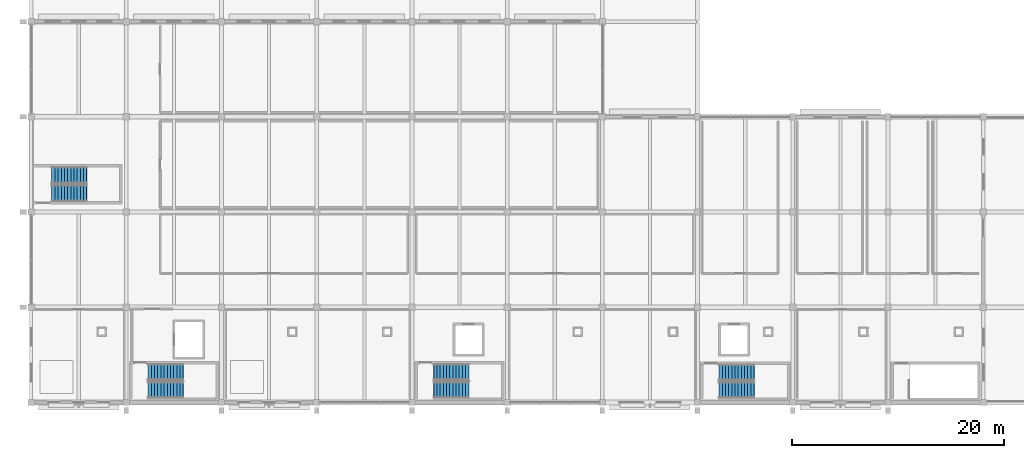
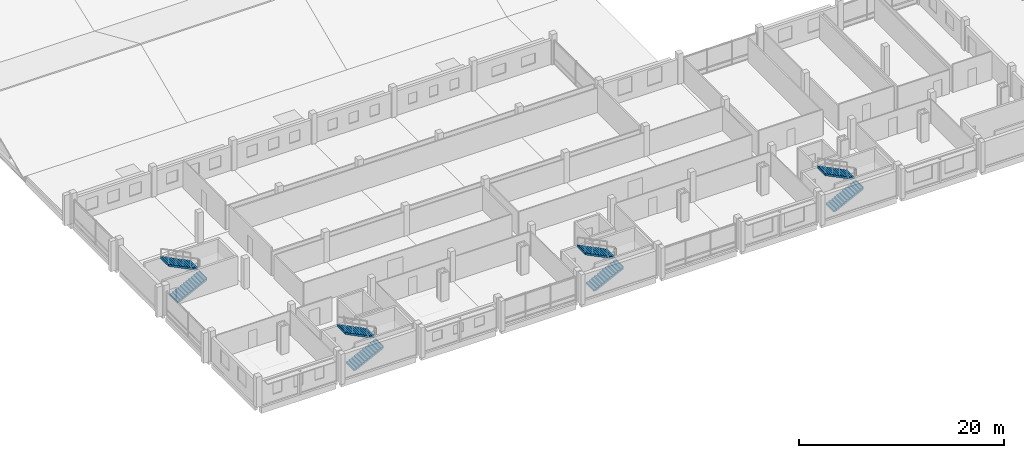
# One storey, part 156 of 163: 8 stair flights, 4 elements without a shape of their own.
"""IFC4 building model written with IfcOpenShell, lengths in metres."""

from ifc_helpers import new_model, si_unit, direction, frame, origin, place, context, subcontext, project, spatial, polyline, outline, extrude, material, type_object, element, aggregate, save


model = new_model("IFC4")

# Units and contexts
model_context = context("Model", 3, precision=1e-05, world=origin(), true_north=direction((0.0, 1.0)))
body_context = subcontext(model_context, "Body", "Model", "MODEL_VIEW")
ifc_project = project(units=[si_unit("LENGTHUNIT", "METRE"), si_unit("AREAUNIT", "SQUARE_METRE"), si_unit("VOLUMEUNIT", "CUBIC_METRE"), si_unit("PLANEANGLEUNIT", "RADIAN"), si_unit("MASSUNIT", "GRAM", prefix="KILO")], contexts=[model_context])

# Site, building, storey
site_placement = place(None, origin())
site = spatial("IfcSite", under=ifc_project, at=site_placement, CompositionType="ELEMENT")
building_placement = place(site_placement, origin())
building = spatial("IfcBuilding", under=site, at=building_placement, Name="Tharagai Park Tramway Depot", CompositionType="ELEMENT")
storey_placement = place(building_placement, frame((0.0, 0.0, 8.39990234375)))
storey = spatial("IfcBuildingStorey", under=building, at=storey_placement, Name="L02", CompositionType="ELEMENT", Elevation=8.39990234375)

# Stair, stair flights
ifc_material = material(Name="Concrete M35", Category="concrete")
stair_type = type_object("IfcStairType", Name="STT-02", PredefinedType="HALF_TURN_STAIR", material=ifc_material)
stair_1_placement = place(storey_placement, origin())
stair_1 = element("IfcStair", 1, at=stair_1_placement, inside=storey, type_object=stair_type, Name="L02 Protected Exit Stair ST-01", PredefinedType="HALF_TURN_STAIR")
stair_flight_type = type_object("IfcStairFlightType", Name="SFT-02", PredefinedType="STRAIGHT", material=ifc_material)
stair_flight_1_placement = place(storey_placement, frame((11.070068359375, 1.175048828125, 0.0), z_axis=(0.0, 0.0, 1.0), x_axis=(1.0, 0.0, 0.0)))
stair_flight_1 = element("IfcStairFlight", 2, at=stair_flight_1_placement, type_object=stair_flight_type, Name="ST-01 flight 1", NumberOfRisers=12, NumberOfTreads=11, PredefinedType="STRAIGHT", RiserHeight=0.15, TreadLength=0.3, context=body_context, shape_type="SweptSolid", body=[
    extrude(outline(polyline([(-0.02490234375, 0.0), (0.0, 0.14990234375), (0.300048828125, 0.14990234375), (0.300048828125, 0.300048828125), (0.60009765625, 0.300048828125), (0.60009765625, 0.449951171875), (0.89990234375, 0.449951171875), (0.89990234375, 0.60009765625), (1.199951171875, 0.60009765625), (1.199951171875, 0.75), (1.5, 0.75), (1.5, 0.89990234375), (1.800048828125, 0.89990234375), (1.800048828125, 1.050048828125), (2.10009765625, 1.050048828125), (2.10009765625, 1.199951171875), (2.39990234375, 1.199951171875), (2.39990234375, 1.35009765625), (2.699951171875, 1.35009765625), (2.699951171875, 1.5), (3.0, 1.5), (3.0, 1.64990234375), (3.300048828125, 1.64990234375), (3.300048828125, 1.800048828125), (3.324951171875, 1.800048828125), (3.324951171875, 1.482421875), (0.335205078125, 0.0), (-0.02490234375, -0.0400390625), (-0.02490234375, 0.0)])), frame((0.0, 0.77490234375, 0.0), z_axis=(0.0, -1.0, 0.0), x_axis=(1.0, 0.0, 0.0)), (0.0, 0.0, 1.0), 1.550048828125),
])
stair_flight_2_placement = place(storey_placement, frame((14.3701171875, 2.875, 1.800048828125), z_axis=(0.0, 0.0, 1.0), x_axis=(-1.0, 0.0, 0.0)))
stair_flight_2 = element("IfcStairFlight", 3, at=stair_flight_2_placement, type_object=stair_flight_type, Name="ST-01 flight 2", NumberOfRisers=12, NumberOfTreads=11, PredefinedType="STRAIGHT", RiserHeight=0.15, TreadLength=0.3, context=body_context, shape_type="SweptSolid", body=[
    extrude(outline(polyline([(-0.02490234375, 0.0), (0.0, 0.14990234375), (0.300048828125, 0.14990234375), (0.300048828125, 0.300048828125), (0.60009765625, 0.300048828125), (0.60009765625, 0.449951171875), (0.89990234375, 0.449951171875), (0.89990234375, 0.60009765625), (1.199951171875, 0.60009765625), (1.199951171875, 0.75), (1.5, 0.75), (1.5, 0.89990234375), (1.800048828125, 0.89990234375), (1.800048828125, 1.050048828125), (2.10009765625, 1.050048828125), (2.10009765625, 1.199951171875), (2.39990234375, 1.199951171875), (2.39990234375, 1.35009765625), (2.699951171875, 1.35009765625), (2.699951171875, 1.5), (3.0, 1.5), (3.0, 1.64990234375), (3.300048828125, 1.64990234375), (3.300048828125, 1.800048828125), (3.324951171875, 1.800048828125), (3.324951171875, 1.482421875), (0.335205078125, 0.0), (-0.02490234375, -0.0400390625), (-0.02490234375, 0.0)])), frame((0.0, 0.77490234375, 0.0), z_axis=(0.0, -1.0, 0.0), x_axis=(1.0, 0.0, 0.0)), (0.0, 0.0, 1.0), 1.550048828125),
])
aggregate(stair_1, [stair_flight_1, stair_flight_2])

stair_2_placement = place(storey_placement, origin())
stair_2 = element("IfcStair", 4, at=stair_2_placement, inside=storey, type_object=stair_type, Name="L02 Protected Exit Stair ST-02", PredefinedType="HALF_TURN_STAIR")
stair_flight_3_placement = place(storey_placement, frame((38.070068359375, 1.175048828125, 0.0), z_axis=(0.0, 0.0, 1.0), x_axis=(1.0, 0.0, 0.0)))
stair_flight_3 = element("IfcStairFlight", 5, at=stair_flight_3_placement, type_object=stair_flight_type, Name="ST-02 flight 1", NumberOfRisers=12, NumberOfTreads=11, PredefinedType="STRAIGHT", RiserHeight=0.15, TreadLength=0.3, context=body_context, shape_type="SweptSolid", body=[
    extrude(outline(polyline([(-0.02490234375, 0.0), (0.0, 0.14990234375), (0.300048828125, 0.14990234375), (0.300048828125, 0.300048828125), (0.60009765625, 0.300048828125), (0.60009765625, 0.449951171875), (0.89990234375, 0.449951171875), (0.89990234375, 0.60009765625), (1.199951171875, 0.60009765625), (1.199951171875, 0.75), (1.5, 0.75), (1.5, 0.89990234375), (1.800048828125, 0.89990234375), (1.800048828125, 1.050048828125), (2.10009765625, 1.050048828125), (2.10009765625, 1.199951171875), (2.39990234375, 1.199951171875), (2.39990234375, 1.35009765625), (2.699951171875, 1.35009765625), (2.699951171875, 1.5), (3.0, 1.5), (3.0, 1.64990234375), (3.300048828125, 1.64990234375), (3.300048828125, 1.800048828125), (3.324951171875, 1.800048828125), (3.324951171875, 1.482421875), (0.335205078125, 0.0), (-0.02490234375, -0.0400390625), (-0.02490234375, 0.0)])), frame((0.0, 0.77490234375, 0.0), z_axis=(0.0, -1.0, 0.0), x_axis=(1.0, 0.0, 0.0)), (0.0, 0.0, 1.0), 1.550048828125),
])
stair_flight_4_placement = place(storey_placement, frame((41.3701171875, 2.875, 1.800048828125), z_axis=(0.0, 0.0, 1.0), x_axis=(-1.0, 0.0, 0.0)))
stair_flight_4 = element("IfcStairFlight", 6, at=stair_flight_4_placement, type_object=stair_flight_type, Name="ST-02 flight 2", NumberOfRisers=12, NumberOfTreads=11, PredefinedType="STRAIGHT", RiserHeight=0.15, TreadLength=0.3, context=body_context, shape_type="SweptSolid", body=[
    extrude(outline(polyline([(-0.02490234375, 0.0), (0.0, 0.14990234375), (0.300048828125, 0.14990234375), (0.300048828125, 0.300048828125), (0.60009765625, 0.300048828125), (0.60009765625, 0.449951171875), (0.89990234375, 0.449951171875), (0.89990234375, 0.60009765625), (1.199951171875, 0.60009765625), (1.199951171875, 0.75), (1.5, 0.75), (1.5, 0.89990234375), (1.800048828125, 0.89990234375), (1.800048828125, 1.050048828125), (2.10009765625, 1.050048828125), (2.10009765625, 1.199951171875), (2.39990234375, 1.199951171875), (2.39990234375, 1.35009765625), (2.699951171875, 1.35009765625), (2.699951171875, 1.5), (3.0, 1.5), (3.0, 1.64990234375), (3.300048828125, 1.64990234375), (3.300048828125, 1.800048828125), (3.324951171875, 1.800048828125), (3.324951171875, 1.482421875), (0.335205078125, 0.0), (-0.02490234375, -0.0400390625), (-0.02490234375, 0.0)])), frame((0.0, 0.77490234375, 0.0), z_axis=(0.0, -1.0, 0.0), x_axis=(1.0, 0.0, 0.0)), (0.0, 0.0, 1.0), 1.550048828125),
])
aggregate(stair_2, [stair_flight_3, stair_flight_4])

stair_3_placement = place(storey_placement, origin())
stair_3 = element("IfcStair", 7, at=stair_3_placement, inside=storey, type_object=stair_type, Name="L02 Protected Exit Stair ST-03", PredefinedType="HALF_TURN_STAIR")
stair_flight_5_placement = place(storey_placement, frame((1.949951171875, 19.77490234375, 0.0), z_axis=(0.0, 0.0, 1.0), x_axis=(1.0, 0.0, 0.0)))
stair_flight_5 = element("IfcStairFlight", 8, at=stair_flight_5_placement, type_object=stair_flight_type, Name="ST-03 flight 1", NumberOfRisers=12, NumberOfTreads=11, PredefinedType="STRAIGHT", RiserHeight=0.15, TreadLength=0.3, context=body_context, shape_type="SweptSolid", body=[
    extrude(outline(polyline([(-0.02490234375, 0.0), (0.0, 0.14990234375), (0.300048828125, 0.14990234375), (0.300048828125, 0.300048828125), (0.60009765625, 0.300048828125), (0.60009765625, 0.449951171875), (0.89990234375, 0.449951171875), (0.89990234375, 0.60009765625), (1.199951171875, 0.60009765625), (1.199951171875, 0.75), (1.5, 0.75), (1.5, 0.89990234375), (1.800048828125, 0.89990234375), (1.800048828125, 1.050048828125), (2.10009765625, 1.050048828125), (2.10009765625, 1.199951171875), (2.39990234375, 1.199951171875), (2.39990234375, 1.35009765625), (2.699951171875, 1.35009765625), (2.699951171875, 1.5), (3.0, 1.5), (3.0, 1.64990234375), (3.300048828125, 1.64990234375), (3.300048828125, 1.800048828125), (3.324951171875, 1.800048828125), (3.324951171875, 1.482421875), (0.335205078125, 0.0), (-0.02490234375, -0.0400390625), (-0.02490234375, 0.0)])), frame((0.0, 0.77490234375, 0.0), z_axis=(0.0, -1.0, 0.0), x_axis=(1.0, 0.0, 0.0)), (0.0, 0.0, 1.0), 1.550048828125),
])
stair_flight_6_placement = place(storey_placement, frame((5.25, 21.47509765625, 1.800048828125), z_axis=(0.0, 0.0, 1.0), x_axis=(-1.0, 0.0, 0.0)))
stair_flight_6 = element("IfcStairFlight", 9, at=stair_flight_6_placement, type_object=stair_flight_type, Name="ST-03 flight 2", NumberOfRisers=12, NumberOfTreads=11, PredefinedType="STRAIGHT", RiserHeight=0.15, TreadLength=0.3, context=body_context, shape_type="SweptSolid", body=[
    extrude(outline(polyline([(-0.02490234375, 0.0), (0.0, 0.14990234375), (0.300048828125, 0.14990234375), (0.300048828125, 0.300048828125), (0.60009765625, 0.300048828125), (0.60009765625, 0.449951171875), (0.89990234375, 0.449951171875), (0.89990234375, 0.60009765625), (1.199951171875, 0.60009765625), (1.199951171875, 0.75), (1.5, 0.75), (1.5, 0.89990234375), (1.800048828125, 0.89990234375), (1.800048828125, 1.050048828125), (2.10009765625, 1.050048828125), (2.10009765625, 1.199951171875), (2.39990234375, 1.199951171875), (2.39990234375, 1.35009765625), (2.699951171875, 1.35009765625), (2.699951171875, 1.5), (3.0, 1.5), (3.0, 1.64990234375), (3.300048828125, 1.64990234375), (3.300048828125, 1.800048828125), (3.324951171875, 1.800048828125), (3.324951171875, 1.482421875), (0.335205078125, 0.0), (-0.02490234375, -0.0400390625), (-0.02490234375, 0.0)])), frame((0.0, 0.77490234375, 0.0), z_axis=(0.0, -1.0, 0.0), x_axis=(1.0, 0.0, 0.0)), (0.0, 0.0, 1.0), 1.550048828125),
])
aggregate(stair_3, [stair_flight_5, stair_flight_6])

stair_4_placement = place(storey_placement, origin())
stair_4 = element("IfcStair", 10, at=stair_4_placement, inside=storey, type_object=stair_type, Name="L02 Protected Exit Stair ST-04", PredefinedType="HALF_TURN_STAIR")
stair_flight_7_placement = place(storey_placement, frame((65.0400390625, 1.159912109375, 0.0), z_axis=(0.0, 0.0, 1.0), x_axis=(1.0, 0.0, 0.0)))
stair_flight_7 = element("IfcStairFlight", 11, at=stair_flight_7_placement, type_object=stair_flight_type, Name="ST-04 flight 1", NumberOfRisers=12, NumberOfTreads=11, PredefinedType="STRAIGHT", RiserHeight=0.15, TreadLength=0.3, context=body_context, shape_type="SweptSolid", body=[
    extrude(outline(polyline([(-0.02490234375, 0.0), (0.0, 0.14990234375), (0.300048828125, 0.14990234375), (0.300048828125, 0.300048828125), (0.60009765625, 0.300048828125), (0.60009765625, 0.449951171875), (0.89990234375, 0.449951171875), (0.89990234375, 0.60009765625), (1.199951171875, 0.60009765625), (1.199951171875, 0.75), (1.5, 0.75), (1.5, 0.89990234375), (1.800048828125, 0.89990234375), (1.800048828125, 1.050048828125), (2.10009765625, 1.050048828125), (2.10009765625, 1.199951171875), (2.39990234375, 1.199951171875), (2.39990234375, 1.35009765625), (2.699951171875, 1.35009765625), (2.699951171875, 1.5), (3.0, 1.5), (3.0, 1.64990234375), (3.300048828125, 1.64990234375), (3.300048828125, 1.800048828125), (3.324951171875, 1.800048828125), (3.324951171875, 1.482421875), (0.335205078125, 0.0), (-0.02490234375, -0.0400390625), (-0.02490234375, 0.0)])), frame((0.0, 0.760009765625, 0.0), z_axis=(0.0, -1.0, 0.0), x_axis=(1.0, 0.0, 0.0)), (0.0, 0.0, 1.0), 1.52001953125),
])
stair_flight_8_placement = place(storey_placement, frame((68.340087890625, 2.830078125, 1.800048828125), z_axis=(0.0, 0.0, 1.0), x_axis=(-1.0, 0.0, 0.0)))
stair_flight_8 = element("IfcStairFlight", 12, at=stair_flight_8_placement, type_object=stair_flight_type, Name="ST-04 flight 2", NumberOfRisers=12, NumberOfTreads=11, PredefinedType="STRAIGHT", RiserHeight=0.15, TreadLength=0.3, context=body_context, shape_type="SweptSolid", body=[
    extrude(outline(polyline([(-0.02490234375, 0.0), (0.0, 0.14990234375), (0.300048828125, 0.14990234375), (0.300048828125, 0.300048828125), (0.60009765625, 0.300048828125), (0.60009765625, 0.449951171875), (0.89990234375, 0.449951171875), (0.89990234375, 0.60009765625), (1.199951171875, 0.60009765625), (1.199951171875, 0.75), (1.5, 0.75), (1.5, 0.89990234375), (1.800048828125, 0.89990234375), (1.800048828125, 1.050048828125), (2.10009765625, 1.050048828125), (2.10009765625, 1.199951171875), (2.39990234375, 1.199951171875), (2.39990234375, 1.35009765625), (2.699951171875, 1.35009765625), (2.699951171875, 1.5), (3.0, 1.5), (3.0, 1.64990234375), (3.300048828125, 1.64990234375), (3.300048828125, 1.800048828125), (3.324951171875, 1.800048828125), (3.324951171875, 1.482421875), (0.335205078125, 0.0), (-0.02490234375, -0.0400390625), (-0.02490234375, 0.0)])), frame((0.0, 0.760009765625, 0.0), z_axis=(0.0, -1.0, 0.0), x_axis=(1.0, 0.0, 0.0)), (0.0, 0.0, 1.0), 1.52001953125),
])
aggregate(stair_4, [stair_flight_7, stair_flight_8])

save(model, "model.ifc")
